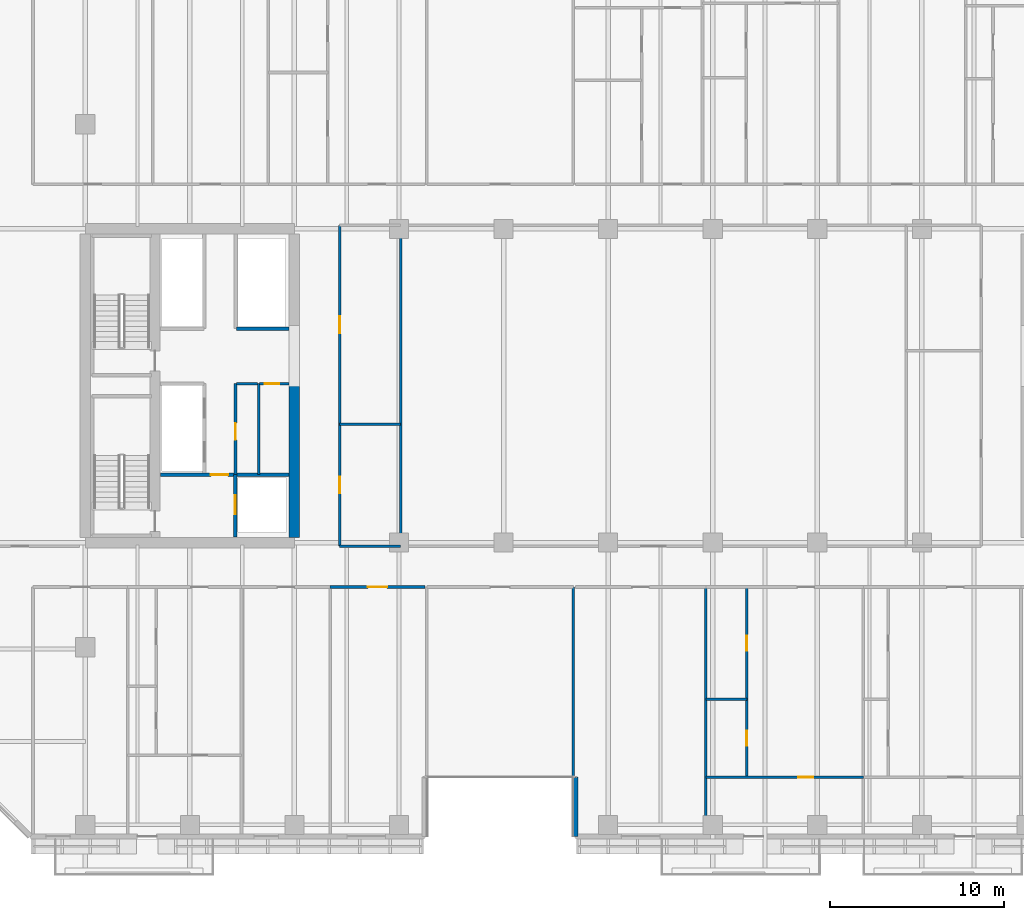
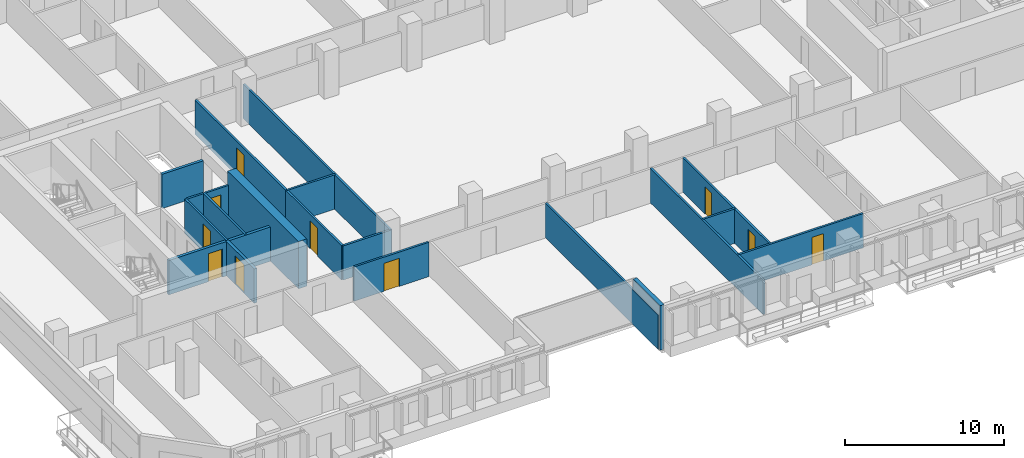
# One storey, part 11 of 26: 20 walls, 10 doors, 10 openings.
"""IFC4 building model written with IfcOpenShell, lengths in metres."""

import ifcopenshell
import ifcopenshell.guid

model = None  # the IFC model being written
_history = None  # IfcOwnerHistory: only IFC2X3 demands one
_inside = {}  # id of a spatial element -> (the spatial element, [elements in it])
_under = {}  # id of a project, library or spatial element -> (it, [spatial elements below it])
_declared = {}  # id of a project -> (the project, [libraries it declares])
_typed = {}  # id of a type object -> (the type object, [elements of that type])
_made_of = {}  # id of a material, layer set ... -> (it, [elements and type objects made of it])


def new_model(schema):
    """Start an empty IFC model of exactly this schema.

    Asked for "IFC4X3", IfcOpenShell would pick the latest addendum, in which some entities
    have other attributes; the version numbers below select the first issue.
    IFC2X3 requires an IfcOwnerHistory on every rooted entity: one is made here for all.
    """
    global model, _history
    if schema == "IFC4X3":
        model = ifcopenshell.file(schema_version=(4, 3, 0, 0))
    else:
        model = ifcopenshell.file(schema=schema)
    _inside.clear()
    _under.clear()
    _declared.clear()
    _typed.clear()
    _made_of.clear()
    _history = None
    if model.schema == "IFC2X3":
        org = make("IfcOrganization", Name="unknown")
        user = make(
            "IfcPersonAndOrganization",
            ThePerson=make("IfcPerson", FamilyName="unknown"),
            TheOrganization=org,
        )
        app = make(
            "IfcApplication",
            ApplicationDeveloper=org,
            Version="unknown",
            ApplicationFullName="unknown",
            ApplicationIdentifier="unknown",
        )
        _history = make(
            "IfcOwnerHistory",
            OwningUser=user,
            OwningApplication=app,
            ChangeAction="ADDED",
            CreationDate=0,
        )
    return model


def make(cls, **values):
    """One entity of the class cls with the attributes given. An attribute that is None is left unset."""
    return model.create_entity(
        cls, **{name: value for name, value in values.items() if value is not None}
    )


def rooted(cls, **values):
    """An entity with a GlobalId (a new one), such as an element, a storey or a relation."""
    return make(cls, GlobalId=ifcopenshell.guid.new(), OwnerHistory=_history, **values)


def si_unit(unit_type, name, prefix=None):
    """IfcSIUnit, for example si_unit("LENGTHUNIT", "METRE", prefix="MILLI")."""
    return make("IfcSIUnit", UnitType=unit_type, Prefix=prefix, Name=name)


def assignment(units):
    """IfcUnitAssignment: the units of a project."""
    return None if units is None else make("IfcUnitAssignment", Units=units)


def point(xyz):
    """IfcCartesianPoint."""
    return None if xyz is None else make("IfcCartesianPoint", Coordinates=xyz)


def direction(xyz):
    """IfcDirection."""
    return None if xyz is None else make("IfcDirection", DirectionRatios=xyz)


def frame(location, z_axis=None, x_axis=None):
    """IfcAxis2Placement3D, a coordinate frame: its origin and axes. An axis left out is left unset."""
    return make(
        "IfcAxis2Placement3D",
        Location=point(location),
        Axis=direction(z_axis),
        RefDirection=direction(x_axis),
    )


def frame_2d(location, x_axis=None):
    """IfcAxis2Placement2D, a coordinate frame in the plane: its origin and x axis."""
    return make(
        "IfcAxis2Placement2D", Location=point(location), RefDirection=direction(x_axis)
    )


def origin():
    """The frame at (0, 0, 0) with its axes left unset."""
    return frame((0.0, 0.0, 0.0))


def place(relative_to, where):
    """IfcLocalPlacement: puts the frame where relative to a parent placement (None: the world)."""
    return make(
        "IfcLocalPlacement", PlacementRelTo=relative_to, RelativePlacement=where
    )


def context(
    kind, dimensions, precision=None, world=None, true_north=None, identifier=None
):
    """IfcGeometricRepresentationContext, for example the 3D "Model" context."""
    return make(
        "IfcGeometricRepresentationContext",
        ContextIdentifier=identifier,
        ContextType=kind,
        CoordinateSpaceDimension=dimensions,
        Precision=precision,
        WorldCoordinateSystem=world,
        TrueNorth=true_north,
    )


def subcontext(parent, identifier, kind, view, scale=None):
    """IfcGeometricRepresentationSubContext, for example "Body" below "Model"."""
    return make(
        "IfcGeometricRepresentationSubContext",
        ContextIdentifier=identifier,
        ContextType=kind,
        ParentContext=parent,
        TargetScale=scale,
        TargetView=view,
    )


def project(units=None, contexts=None):
    """IfcProject with its units and contexts."""
    return rooted(
        "IfcProject",
        Name="project",
        RepresentationContexts=contexts,
        UnitsInContext=assignment(units),
    )


def spatial(cls, under=None, at=None, **own):
    """A site, building, storey or space (cls), placed at a placement, below another one or the project."""
    s = rooted(cls, ObjectPlacement=at, **own)
    if under is not None:
        _under.setdefault(under.id(), (under, []))[1].append(s)
    return s


def profile(cls, at=None, kind="AREA", **sizes):
    """A parametric profile (cls). Its sizes go by their IFC names, for example OverallWidth=200.0."""
    return make(cls, ProfileType=kind, Position=at, **sizes)


def rectangle(**sizes):
    """IfcRectangleProfileDef."""
    return profile("IfcRectangleProfileDef", **sizes)


def extrude(swept, where, along, depth):
    """IfcExtrudedAreaSolid: the profile swept, set in the frame where, extruded along a direction by depth."""
    return make(
        "IfcExtrudedAreaSolid",
        SweptArea=swept,
        Position=where,
        ExtrudedDirection=direction(along),
        Depth=depth,
    )


def shape(context_of_items, identifier, shape_type, items):
    """IfcShapeRepresentation: the items that make up one representation, for example the "Body"."""
    return make(
        "IfcShapeRepresentation",
        ContextOfItems=context_of_items,
        RepresentationIdentifier=identifier,
        RepresentationType=shape_type,
        Items=items,
    )


def material(Name=None, Category=None):
    """IfcMaterial."""
    return make("IfcMaterial", Name=Name, Category=Category)


def layer(
    of_material, thickness, ventilated=None, Name=None, Category=None, Priority=None
):
    """IfcMaterialLayer: one layer of a wall or slab, of a material (None: an air gap)."""
    return make(
        "IfcMaterialLayer",
        Material=of_material,
        LayerThickness=thickness,
        IsVentilated=ventilated,
        Name=Name,
        Category=Category,
        Priority=Priority,
    )


def layer_set(layers, Name=None):
    """IfcMaterialLayerSet."""
    return make("IfcMaterialLayerSet", MaterialLayers=layers, LayerSetName=Name)


def made_of(thing, what):
    """Note that an element or type object is made of a material, layer set ...; save() writes the relation."""
    if what is not None:
        _made_of.setdefault(what.id(), (what, []))[1].append(thing)
    return thing


def type_object(cls, material=None, **own):
    """A type object (cls), such as IfcWallType, which elements share."""
    return made_of(rooted(cls, **own), material)


def element(
    cls,
    number,
    at=None,
    inside=None,
    cuts=None,
    type_object=None,
    material=None,
    context=None,
    identifier="Body",
    shape_type=None,
    held_by="IfcProductDefinitionShape",
    body=None,
    shapes=None,
    **own,
):
    """One element of the class cls, such as IfcWall. Its Tag is "e" and its number.

    at: its placement. inside: the storey or other place that contains it. cuts: it is an
    opening in that element (IfcRelVoidsElement). A single representation is given by context,
    identifier, shape_type and body (its items); several are given by shapes. held_by: the class
    of the entity that holds the representations. save() writes the other relations.
    """
    e = rooted(cls, Tag="e%d" % number, ObjectPlacement=at, **own)
    if body is not None:
        shapes = [shape(context, identifier, shape_type, body)]
    if shapes is not None:
        e.Representation = make(held_by, Representations=shapes)
    if inside is not None:
        _inside.setdefault(inside.id(), (inside, []))[1].append(e)
    if cuts is not None:
        rooted(
            "IfcRelVoidsElement", RelatingBuildingElement=cuts, RelatedOpeningElement=e
        )
    if type_object is not None:
        _typed.setdefault(type_object.id(), (type_object, []))[1].append(e)
    return made_of(e, material)


def fill(opening, filler):
    """IfcRelFillsElement: the door or window that sits in an opening."""
    return rooted(
        "IfcRelFillsElement",
        RelatingOpeningElement=opening,
        RelatedBuildingElement=filler,
    )


def aggregate(whole, parts):
    """IfcRelAggregates: a whole, such as a stair, and the parts it consists of."""
    return rooted("IfcRelAggregates", RelatingObject=whole, RelatedObjects=parts)


def save(model, path):
    """Write the relations noted so far, then the file.

    IfcRelAggregates (storeys below a building ...), IfcRelContainedInSpatialStructure (elements
    in a storey), IfcRelDefinesByType, IfcRelAssociatesMaterial and IfcRelDeclares: one each for
    every whole, place, type object, material and project.
    """
    for whole, parts in _under.values():
        aggregate(whole, parts)
    for where, things in _inside.values():
        rooted(
            "IfcRelContainedInSpatialStructure",
            RelatedElements=things,
            RelatingStructure=where,
        )
    for kind, things in _typed.values():
        rooted("IfcRelDefinesByType", RelatedObjects=things, RelatingType=kind)
    for what, things in _made_of.values():
        rooted("IfcRelAssociatesMaterial", RelatedObjects=things, RelatingMaterial=what)
    for by, libraries in _declared.values():
        rooted("IfcRelDeclares", RelatingContext=by, RelatedDefinitions=libraries)
    model.write(path)


model = new_model("IFC4")

# Units and contexts
model_context = context("Model", 3, precision=1e-05, world=origin(), true_north=direction((0.0, 1.0)))
body_context = subcontext(model_context, "Body", "Model", "MODEL_VIEW")
ifc_project = project(units=[si_unit("LENGTHUNIT", "METRE"), si_unit("AREAUNIT", "SQUARE_METRE"), si_unit("VOLUMEUNIT", "CUBIC_METRE"), si_unit("PLANEANGLEUNIT", "RADIAN"), si_unit("MASSUNIT", "GRAM", prefix="KILO")], contexts=[model_context])

# Site, building, storey
site_placement = place(None, origin())
site = spatial("IfcSite", under=ifc_project, at=site_placement, CompositionType="ELEMENT")
building_placement = place(site_placement, origin())
building = spatial("IfcBuilding", under=site, at=building_placement, Name="Tanjung Sevakor Pilgrim Tower", CompositionType="ELEMENT")
storey_placement = place(building_placement, frame((0.0, 0.0, 66.0)))
storey = spatial("IfcBuildingStorey", under=building, at=storey_placement, Name="L18", CompositionType="ELEMENT", Elevation=66.0)

# Walls
ifc_material_1 = material(Name="Concrete C60/75", Category="concrete")
ifc_layer_1 = layer(ifc_material_1, 0.60009765625)
ifc_layer_set_1 = layer_set([ifc_layer_1], Name="WALL-CW-600")
wall_type_1 = type_object("IfcWallType", Name="WALL-CW-600", PredefinedType="SHEAR", material=ifc_layer_set_1)
wall_1_placement = place(storey_placement, frame((36.0, 24.89990234375, 0.0), z_axis=(0.0, 0.0, 1.0), x_axis=(0.0, 1.0, 0.0)))
element("IfcWall", 1, at=wall_1_placement, inside=storey, type_object=wall_type_1, Name="L18 W Core Inner Shear Wall South", PredefinedType="SHEAR", context=body_context, shape_type="SweptSolid", body=[
    extrude(rectangle(XDim=8.900146484375, YDim=0.60009765625, at=frame_2d((4.4501953125, 0.0))), origin(), (0.0, 0.0, 1.0), 3.6298828125),
])
ifc_material_2 = material(Name="Concrete C40/50", Category="concrete")
ifc_layer_2 = layer(ifc_material_2, 0.14990234375)
ifc_layer_set_2 = layer_set([ifc_layer_2], Name="WT-COMP-150")
wall_type_2 = type_object("IfcWallType", Name="WT-COMP-150", PredefinedType="SOLIDWALL", material=ifc_layer_set_2)
wall_2_placement = place(storey_placement, frame((33.949951171875, 28.5, 0.0), z_axis=(0.0, 0.0, 1.0), x_axis=(0.0, 1.0, 0.0)))
element("IfcWall", 2, at=wall_2_placement, inside=storey, type_object=wall_type_2, Name="L18 Partition IW-L18-005", PredefinedType="SOLIDWALL", context=body_context, shape_type="SweptSolid", body=[
    extrude(rectangle(XDim=5.219970703125, YDim=0.14990234375, at=frame_2d((2.60986328125, 0.0))), origin(), (0.0, 0.0, 1.0), 2.6298828125),
])
wall_3_placement = place(storey_placement, frame((32.679931640625, 33.719970703125, 0.0), z_axis=(0.0, 0.0, 1.0), x_axis=(1.0, 0.0, 0.0)))
element("IfcWall", 3, at=wall_3_placement, inside=storey, type_object=wall_type_2, Name="L18 Partition IW-L18-006", PredefinedType="SOLIDWALL", context=body_context, shape_type="SweptSolid", body=[
    extrude(rectangle(XDim=1.2099609375, YDim=0.14990234375, at=frame_2d((0.60498046875, 0.0))), origin(), (0.0, 0.0, 1.0), 2.6298828125),
])

# Wall, opening, door
wall_4_placement = place(storey_placement, frame((34.010009765625, 33.719970703125, 0.0), z_axis=(0.0, 0.0, 1.0), x_axis=(1.0, 0.0, 0.0)))
wall_4 = element("IfcWall", 4, at=wall_4_placement, inside=storey, type_object=wall_type_2, Name="L18 Partition IW-L18-007", PredefinedType="SOLIDWALL", context=body_context, shape_type="SweptSolid", body=[
    extrude(rectangle(XDim=1.669921875, YDim=0.14990234375, at=frame_2d((0.8349609375, 0.0))), origin(), (0.0, 0.0, 1.0), 2.6298828125),
])
opening_1_placement = place(wall_4_placement, frame((0.280029296875, 0.0, 0.0)))
opening_1 = element("IfcOpeningElement", 5, at=opening_1_placement, cuts=wall_4, Name="Opening ID-FD3", PredefinedType="OPENING", context=body_context, shape_type="SweptSolid", body=[
    extrude(rectangle(XDim=0.85009765625, YDim=2.10009765625, at=frame_2d((0.425048828125, 1.050048828125))), frame((0.0, 0.0849609375, 0.0), z_axis=(0.0, -1.0, 0.0), x_axis=(1.0, 0.0, 0.0)), (0.0, 0.0, 1.0), 0.169921875),
])
ifc_material_3 = material(Name="Fire-Rated Timber", Category="wood")
door_type_1 = type_object("IfcDoorType", Name="DT-FIRE-850", OperationType="NOTDEFINED", PredefinedType="DOOR", material=ifc_material_3)
door_1_placement = place(opening_1_placement, origin())
door_1 = element("IfcDoor", 6, at=door_1_placement, inside=storey, type_object=door_type_1, Name="L18 Service Store Door", OperationType="SINGLE_SWING_RIGHT", OverallHeight=2.10009765625, OverallWidth=0.85009765625, PredefinedType="DOOR", context=body_context, shape_type="SweptSolid", body=[
    extrude(rectangle(XDim=0.85009765625, YDim=2.10009765625, at=frame_2d((0.425048828125, 1.050048828125))), frame((0.0, 0.02490234375, 0.0), z_axis=(0.0, -1.0, 0.0), x_axis=(1.0, 0.0, 0.0)), (0.0, 0.0, 1.0), 0.050048828125),
])
fill(opening_1, door_1)

wall_5_placement = place(storey_placement, frame((32.6201171875, 28.5, 0.0), z_axis=(0.0, 0.0, 1.0), x_axis=(0.0, 1.0, 0.0)))
wall_5 = element("IfcWall", 7, at=wall_5_placement, inside=storey, type_object=wall_type_2, Name="L18 Partition IW-L18-008", PredefinedType="SOLIDWALL", context=body_context, shape_type="SweptSolid", body=[
    extrude(rectangle(XDim=5.219970703125, YDim=0.14990234375, at=frame_2d((2.60986328125, 0.0))), origin(), (0.0, 0.0, 1.0), 2.6298828125),
])
opening_2_placement = place(wall_5_placement, frame((2.0, 0.0, 0.0)))
opening_2 = element("IfcOpeningElement", 8, at=opening_2_placement, cuts=wall_5, Name="Opening ID-FD2", PredefinedType="OPENING", context=body_context, shape_type="SweptSolid", body=[
    extrude(rectangle(XDim=0.949951171875, YDim=2.14990234375, at=frame_2d((0.47509765625, 1.074951171875))), frame((0.0, 0.0849609375, 0.0), z_axis=(0.0, -1.0, 0.0), x_axis=(1.0, 0.0, 0.0)), (0.0, 0.0, 1.0), 0.169921875),
])
ifc_material_4 = material(Name="Fire-Rated Timber", Category="wood")
door_type_2 = type_object("IfcDoorType", Name="DT-FIRE-950", OperationType="NOTDEFINED", PredefinedType="DOOR", material=ifc_material_4)
door_2_placement = place(opening_2_placement, origin())
door_2 = element("IfcDoor", 9, at=door_2_placement, inside=storey, type_object=door_type_2, Name="L18 Accessible WC Door", OperationType="SINGLE_SWING_LEFT", OverallHeight=2.14990234375, OverallWidth=0.949951171875, PredefinedType="DOOR", context=body_context, shape_type="SweptSolid", body=[
    extrude(rectangle(XDim=0.949951171875, YDim=2.14990234375, at=frame_2d((0.47509765625, 1.074951171875))), frame((0.0, 0.02490234375, 0.0), z_axis=(0.0, -1.0, 0.0), x_axis=(1.0, 0.0, 0.0)), (0.0, 0.0, 1.0), 0.050048828125),
])
fill(opening_2, door_2)

# Walls
wall_6_placement = place(storey_placement, frame((38.60009765625, 24.39990234375, 0.0), z_axis=(0.0, 0.0, 1.0), x_axis=(1.0, 0.0, 0.0)))
element("IfcWall", 10, at=wall_6_placement, inside=storey, type_object=wall_type_2, Name="L18 Partition IW-L18-025", PredefinedType="SOLIDWALL", context=body_context, shape_type="SweptSolid", body=[
    extrude(rectangle(XDim=3.5, YDim=0.14990234375, at=frame_2d((1.75, 0.0))), origin(), (0.0, 0.0, 1.0), 2.625244140625),
])
wall_7_placement = place(storey_placement, frame((38.60009765625, 31.39990234375, 0.0), z_axis=(0.0, 0.0, 1.0), x_axis=(1.0, 0.0, 0.0)))
element("IfcWall", 11, at=wall_7_placement, inside=storey, type_object=wall_type_2, Name="L18 Partition IW-L18-026", PredefinedType="SOLIDWALL", context=body_context, shape_type="SweptSolid", body=[
    extrude(rectangle(XDim=3.5, YDim=0.14990234375, at=frame_2d((1.75, 0.0))), origin(), (0.0, 0.0, 1.0), 2.6298828125),
])

# Wall, opening, door
wall_8_placement = place(storey_placement, frame((38.60009765625, 24.39990234375, 0.0), z_axis=(0.0, 0.0, 1.0), x_axis=(0.0, 1.0, 0.0)))
wall_8 = element("IfcWall", 12, at=wall_8_placement, inside=storey, type_object=wall_type_2, Name="L18 Partition IW-L18-027", PredefinedType="SOLIDWALL", context=body_context, shape_type="SweptSolid", body=[
    extrude(rectangle(XDim=7.0, YDim=0.14990234375, at=frame_2d((3.5, 0.0))), origin(), (0.0, 0.0, 1.0), 2.6298828125),
])
opening_3_placement = place(wall_8_placement, frame((3.02490234375, 0.0, 0.0)))
opening_3 = element("IfcOpeningElement", 13, at=opening_3_placement, cuts=wall_8, Name="Opening ID-RM1", PredefinedType="OPENING", context=body_context, shape_type="SweptSolid", body=[
    extrude(rectangle(XDim=0.949951171875, YDim=2.14990234375, at=frame_2d((0.47509765625, 1.074951171875))), frame((0.0, 0.0849609375, 0.0), z_axis=(0.0, -1.0, 0.0), x_axis=(1.0, 0.0, 0.0)), (0.0, 0.0, 1.0), 0.169921875),
])
ifc_material_5 = material(Name="Hardwood Timber", Category="wood")
door_type_3 = type_object("IfcDoorType", Name="DT-INT-950", OperationType="NOTDEFINED", PredefinedType="DOOR", material=ifc_material_5)
door_3_placement = place(opening_3_placement, origin())
door_3 = element("IfcDoor", 14, at=door_3_placement, inside=storey, type_object=door_type_3, Name="L18 Male Ablution Door", OperationType="SINGLE_SWING_RIGHT", OverallHeight=2.14990234375, OverallWidth=0.949951171875, PredefinedType="DOOR", context=body_context, shape_type="SweptSolid", body=[
    extrude(rectangle(XDim=0.949951171875, YDim=2.14990234375, at=frame_2d((0.47509765625, 1.074951171875))), frame((0.0, 0.02490234375, 0.0), z_axis=(0.0, -1.0, 0.0), x_axis=(1.0, 0.0, 0.0)), (0.0, 0.0, 1.0), 0.050048828125),
])
fill(opening_3, door_3)

wall_9_placement = place(storey_placement, frame((38.60009765625, 31.39990234375, 0.0), z_axis=(0.0, 0.0, 1.0), x_axis=(0.0, 1.0, 0.0)))
wall_9 = element("IfcWall", 15, at=wall_9_placement, inside=storey, type_object=wall_type_2, Name="L18 Partition IW-L18-029", PredefinedType="SOLIDWALL", context=body_context, shape_type="SweptSolid", body=[
    extrude(rectangle(XDim=11.400146484375, YDim=0.14990234375, at=frame_2d((5.7001953125, 0.0))), origin(), (0.0, 0.0, 1.0), 2.6298828125),
])
opening_4_placement = place(wall_9_placement, frame((5.22509765625, 0.0, 0.0)))
opening_4 = element("IfcOpeningElement", 16, at=opening_4_placement, cuts=wall_9, Name="Opening ID-RM1", PredefinedType="OPENING", context=body_context, shape_type="SweptSolid", body=[
    extrude(rectangle(XDim=0.949951171875, YDim=2.14990234375, at=frame_2d((0.47509765625, 1.074951171875))), frame((0.0, 0.0849609375, 0.0), z_axis=(0.0, -1.0, 0.0), x_axis=(1.0, 0.0, 0.0)), (0.0, 0.0, 1.0), 0.169921875),
])
door_4_placement = place(opening_4_placement, origin())
door_4 = element("IfcDoor", 17, at=door_4_placement, inside=storey, type_object=door_type_3, Name="L18 Male Washroom Door", OperationType="SINGLE_SWING_LEFT", OverallHeight=2.14990234375, OverallWidth=0.949951171875, PredefinedType="DOOR", context=body_context, shape_type="SweptSolid", body=[
    extrude(rectangle(XDim=0.949951171875, YDim=2.14990234375, at=frame_2d((0.47509765625, 1.074951171875))), frame((0.0, 0.02490234375, 0.0), z_axis=(0.0, -1.0, 0.0), x_axis=(1.0, 0.0, 0.0)), (0.0, 0.0, 1.0), 0.050048828125),
])
fill(opening_4, door_4)

# Walls
wall_10_placement = place(storey_placement, frame((42.10009765625, 24.39990234375, 0.0), z_axis=(0.0, 0.0, 1.0), x_axis=(0.0, 1.0, 0.0)))
element("IfcWall", 18, at=wall_10_placement, inside=storey, type_object=wall_type_2, Name="L18 Partition IW-L18-032", PredefinedType="SOLIDWALL", context=body_context, shape_type="SweptSolid", body=[
    extrude(rectangle(XDim=18.400146484375, YDim=0.14990234375, at=frame_2d((9.2001953125, 0.0))), origin(), (0.0, 0.0, 1.0), 2.6298828125),
])
wall_11_placement = place(storey_placement, frame((52.0, 7.8798828125, 0.0), z_axis=(0.0, 0.0, 1.0), x_axis=(0.0, 1.0, 0.0)))
element("IfcWall", 19, at=wall_11_placement, inside=storey, type_object=wall_type_2, Name="L18 Partition IW-L18-048", PredefinedType="SOLIDWALL", context=body_context, shape_type="SweptSolid", body=[
    extrude(rectangle(XDim=14.170166015625, YDim=0.14990234375, at=frame_2d((7.0849609375, 0.0))), origin(), (0.0, 0.0, 1.0), 2.6298828125),
])

# Wall, opening, door
wall_12_placement = place(storey_placement, frame((38.04638671875, 22.050048828125, 0.0), z_axis=(0.0, 0.0, 1.0), x_axis=(1.0, 0.0, 0.0)))
wall_12 = element("IfcWall", 20, at=wall_12_placement, inside=storey, type_object=wall_type_2, Name="L18 Partition IW-L18-062", PredefinedType="SOLIDWALL", context=body_context, shape_type="SweptSolid", body=[
    extrude(rectangle(XDim=5.43359375, YDim=0.14990234375, at=frame_2d((2.716796875, 0.0))), origin(), (0.0, 0.0, 1.0), 2.6298828125),
])
opening_5_placement = place(wall_12_placement, frame((2.166748046875, 0.0, 0.0)))
opening_5 = element("IfcOpeningElement", 21, at=opening_5_placement, cuts=wall_12, Name="Opening ID-FD0", PredefinedType="OPENING", context=body_context, shape_type="SweptSolid", body=[
    extrude(rectangle(XDim=1.10009765625, YDim=2.14990234375, at=frame_2d((0.550048828125, 1.074951171875))), frame((0.0, 0.0849609375, 0.0), z_axis=(0.0, -1.0, 0.0), x_axis=(1.0, 0.0, 0.0)), (0.0, 0.0, 1.0), 0.169921875),
])
ifc_material_6 = material(Name="Fire-Rated Steel S355J2", Category="steel")
door_type_4 = type_object("IfcDoorType", Name="DT-FIRE-1100", OperationType="NOTDEFINED", PredefinedType="DOOR", material=ifc_material_6)
door_5_placement = place(opening_5_placement, origin())
door_5 = element("IfcDoor", 22, at=door_5_placement, inside=storey, type_object=door_type_4, Name="Communal Lounge Door", OperationType="SINGLE_SWING_RIGHT", OverallHeight=2.14990234375, OverallWidth=1.10009765625, PredefinedType="DOOR", context=body_context, shape_type="SweptSolid", body=[
    extrude(rectangle(XDim=1.10009765625, YDim=2.14990234375, at=frame_2d((0.550048828125, 1.074951171875))), frame((0.0, 0.02490234375, 0.0), z_axis=(0.0, -1.0, 0.0), x_axis=(1.0, 0.0, 0.0)), (0.0, 0.0, 1.0), 0.050048828125),
])
fill(opening_5, door_5)

# Walls
wall_13_placement = place(storey_placement, frame((59.60400390625, 7.8798828125, 0.0), z_axis=(0.0, 0.0, 1.0), x_axis=(0.0, 1.0, 0.0)))
element("IfcWall", 23, at=wall_13_placement, inside=storey, type_object=wall_type_2, Name="L18 Partition IW-L18-064", PredefinedType="SOLIDWALL", context=body_context, shape_type="SweptSolid", body=[
    extrude(rectangle(XDim=14.170166015625, YDim=0.14990234375, at=frame_2d((7.0849609375, 0.0))), origin(), (0.0, 0.0, 1.0), 2.6298828125),
])
ifc_material_7 = material(Name="Precast concrete C45/55", Category="concrete")
ifc_layer_3 = layer(ifc_material_7, 0.280029296875)
ifc_layer_set_3 = layer_set([ifc_layer_3], Name="WT-EW-STN2")
wall_type_3 = type_object("IfcWallType", Name="WT-EW-STN2", PredefinedType="SOLIDWALL", material=ifc_layer_set_3)
wall_14_placement = place(storey_placement, frame((52.139892578125, 11.139892578125, 0.0), z_axis=(0.0, 0.0, 1.0), x_axis=(0.0, -1.0, 0.0)))
element("IfcWall", 24, at=wall_14_placement, inside=storey, type_object=wall_type_3, Name="L18 MAIN Exterior Wall 4", PredefinedType="SOLIDWALL", context=body_context, shape_type="SweptSolid", body=[
    extrude(rectangle(XDim=3.39990234375, YDim=0.280029296875, at=frame_2d((1.699951171875, 0.0))), origin(), (0.0, 0.0, 1.0), 3.409912109375),
])

# Wall, opening, door
ifc_material_8 = material(Name="Concrete C40/50", Category="concrete")
ifc_layer_4 = layer(ifc_material_8, 0.199951171875)
ifc_layer_set_4 = layer_set([ifc_layer_4], Name="WT-FPRT-200")
wall_type_4 = type_object("IfcWallType", Name="WT-FPRT-200", PredefinedType="SOLIDWALL", material=ifc_layer_set_4)
wall_15_placement = place(storey_placement, frame((32.60009765625, 24.919921875, 0.0), z_axis=(0.0, 0.0, 1.0), x_axis=(0.0, 1.0, 0.0)))
wall_15 = element("IfcWall", 25, at=wall_15_placement, inside=storey, type_object=wall_type_4, Name="L18 Partition IW-L18-001", PredefinedType="SOLIDWALL", context=body_context, shape_type="SweptSolid", body=[
    extrude(rectangle(XDim=3.580078125, YDim=0.199951171875, at=frame_2d((1.7900390625, 0.0))), origin(), (0.0, 0.0, 1.0), 2.6298828125),
])
opening_6_placement = place(wall_15_placement, frame((1.300048828125, 0.0, 0.0)))
opening_6 = element("IfcOpeningElement", 26, at=opening_6_placement, cuts=wall_15, Name="Opening LD-1100", PredefinedType="OPENING", context=body_context, shape_type="SweptSolid", body=[
    extrude(rectangle(XDim=1.10009765625, YDim=2.199951171875, at=frame_2d((0.550048828125, 1.10009765625))), frame((0.0, 0.10986328125, 0.0), z_axis=(0.0, -1.0, 0.0), x_axis=(1.0, 0.0, 0.0)), (0.0, 0.0, 1.0), 0.219970703125),
])
ifc_material_9 = material(Name="Brushed Stainless Steel S355J2", Category="steel")
door_type_5 = type_object("IfcDoorType", Name="DT-LIFT-1100", OperationType="SLIDING_TO_LEFT", PredefinedType="DOOR", material=ifc_material_9)
door_6_placement = place(opening_6_placement, origin())
door_6 = element("IfcDoor", 27, at=door_6_placement, inside=storey, type_object=door_type_5, Name="LD-FL-W", OperationType="SLIDING_TO_LEFT", OverallHeight=2.199951171875, OverallWidth=1.10009765625, PredefinedType="DOOR", context=body_context, shape_type="SweptSolid", body=[
    extrude(rectangle(XDim=1.10009765625, YDim=2.199951171875, at=frame_2d((0.550048828125, 1.10009765625))), frame((0.0, 0.02490234375, 0.0), z_axis=(0.0, -1.0, 0.0), x_axis=(1.0, 0.0, 0.0)), (0.0, 0.0, 1.0), 0.050048828125),
])
fill(opening_6, door_6)

wall_16_placement = place(storey_placement, frame((28.320068359375, 28.5, 0.0), z_axis=(0.0, 0.0, 1.0), x_axis=(1.0, 0.0, 0.0)))
wall_16 = element("IfcWall", 28, at=wall_16_placement, inside=storey, type_object=wall_type_4, Name="L18 Partition IW-L18-002", PredefinedType="SOLIDWALL", context=body_context, shape_type="SweptSolid", body=[
    extrude(rectangle(XDim=7.35986328125, YDim=0.199951171875, at=frame_2d((3.679931640625, 0.0))), origin(), (0.0, 0.0, 1.0), 2.6298828125),
])
opening_7_placement = place(wall_16_placement, frame((2.8798828125, 0.0, 0.0)))
opening_7 = element("IfcOpeningElement", 29, at=opening_7_placement, cuts=wall_16, Name="Opening ID-FD1", PredefinedType="OPENING", context=body_context, shape_type="SweptSolid", body=[
    extrude(rectangle(XDim=1.0, YDim=2.14990234375, at=frame_2d((0.5, 1.074951171875))), frame((0.0, 0.10986328125, 0.0), z_axis=(0.0, -1.0, 0.0), x_axis=(1.0, 0.0, 0.0)), (0.0, 0.0, 1.0), 0.219970703125),
])
ifc_material_10 = material(Name="Fire-Rated Steel S355J2", Category="steel")
door_type_6 = type_object("IfcDoorType", Name="DT-FIRE-1000", OperationType="NOTDEFINED", PredefinedType="DOOR", material=ifc_material_10)
door_7_placement = place(opening_7_placement, origin())
door_7 = element("IfcDoor", 30, at=door_7_placement, inside=storey, type_object=door_type_6, Name="Fire Lobby Door W", OperationType="SINGLE_SWING_LEFT", OverallHeight=2.14990234375, OverallWidth=1.0, PredefinedType="DOOR", context=body_context, shape_type="SweptSolid", body=[
    extrude(rectangle(XDim=1.0, YDim=2.14990234375, at=frame_2d((0.5, 1.074951171875))), frame((0.0, 0.02490234375, 0.0), z_axis=(0.0, -1.0, 0.0), x_axis=(1.0, 0.0, 0.0)), (0.0, 0.0, 1.0), 0.050048828125),
])
fill(opening_7, door_7)

# Walls
wall_17_placement = place(storey_placement, frame((32.679931640625, 36.8798828125, 0.0), z_axis=(0.0, 0.0, 1.0), x_axis=(1.0, 0.0, 0.0)))
element("IfcWall", 31, at=wall_17_placement, inside=storey, type_object=wall_type_4, Name="L18 Partition IW-L18-011", PredefinedType="SOLIDWALL", context=body_context, shape_type="SweptSolid", body=[
    extrude(rectangle(XDim=3.0, YDim=0.199951171875, at=frame_2d((1.5, 0.0))), origin(), (0.0, 0.0, 1.0), 2.6298828125),
])
ifc_material_11 = material(Name="Gypsum Board Partition", Category="gypsum board")
ifc_layer_5 = layer(ifc_material_11, 0.14990234375)
ifc_layer_set_5 = layer_set([ifc_layer_5], Name="WT-PART-150")
wall_type_5 = type_object("IfcWallType", Name="WT-PART-150", PredefinedType="PARTITIONING", material=ifc_layer_set_5)
wall_18_placement = place(storey_placement, frame((59.60400390625, 15.614501953125, 0.0), z_axis=(0.0, 0.0, 1.0), x_axis=(1.0, 0.0, 0.0)))
element("IfcWall", 32, at=wall_18_placement, inside=storey, type_object=wall_type_5, Name="L18 Partition IW-L18-067", PredefinedType="PARTITIONING", context=body_context, shape_type="SweptSolid", body=[
    extrude(rectangle(XDim=2.349853515625, YDim=0.14990234375, at=frame_2d((1.1748046875, 0.0))), origin(), (0.0, 0.0, 1.0), 2.6298828125),
])

# Wall, openings, doors
wall_19_placement = place(storey_placement, frame((61.953857421875, 11.14208984375, 0.0), z_axis=(0.0, 0.0, 1.0), x_axis=(0.0, 1.0, 0.0)))
wall_19 = element("IfcWall", 33, at=wall_19_placement, inside=storey, type_object=wall_type_5, Name="L18 Partition IW-L18-068", PredefinedType="PARTITIONING", context=body_context, shape_type="SweptSolid", body=[
    extrude(rectangle(XDim=10.907958984375, YDim=0.14990234375, at=frame_2d((5.4541015625, 0.0))), origin(), (0.0, 0.0, 1.0), 2.6298828125),
])
opening_8_placement = place(wall_19_placement, frame((1.81103515625, 0.0, 0.0)))
opening_8 = element("IfcOpeningElement", 34, at=opening_8_placement, cuts=wall_19, Name="Opening ID-WC1", PredefinedType="OPENING", context=body_context, shape_type="SweptSolid", body=[
    extrude(rectangle(XDim=0.85009765625, YDim=2.10009765625, at=frame_2d((0.425048828125, 1.050048828125))), frame((0.0, 0.0849609375, 0.0), z_axis=(0.0, -1.0, 0.0), x_axis=(1.0, 0.0, 0.0)), (0.0, 0.0, 1.0), 0.169921875),
])
opening_9_placement = place(wall_19_placement, frame((7.264892578125, 0.0, 0.0)))
opening_9 = element("IfcOpeningElement", 35, at=opening_9_placement, cuts=wall_19, Name="Opening ID-WC1", PredefinedType="OPENING", context=body_context, shape_type="SweptSolid", body=[
    extrude(rectangle(XDim=0.85009765625, YDim=2.10009765625, at=frame_2d((0.425048828125, 1.050048828125))), frame((0.0, 0.0849609375, 0.0), z_axis=(0.0, -1.0, 0.0), x_axis=(1.0, 0.0, 0.0)), (0.0, 0.0, 1.0), 0.169921875),
])
ifc_material_12 = material(Name="Moisture-Resistant Timber", Category="wood")
door_type_7 = type_object("IfcDoorType", Name="DT-INT-850", OperationType="NOTDEFINED", PredefinedType="DOOR", material=ifc_material_12)
door_8_placement = place(opening_8_placement, origin())
door_8 = element("IfcDoor", 36, at=door_8_placement, inside=storey, type_object=door_type_7, Name="Residence Bathroom Door", OperationType="SINGLE_SWING_RIGHT", OverallHeight=2.10009765625, OverallWidth=0.85009765625, PredefinedType="DOOR", context=body_context, shape_type="SweptSolid", body=[
    extrude(rectangle(XDim=0.85009765625, YDim=2.10009765625, at=frame_2d((0.425048828125, 1.050048828125))), frame((0.0, 0.02490234375, 0.0), z_axis=(0.0, -1.0, 0.0), x_axis=(1.0, 0.0, 0.0)), (0.0, 0.0, 1.0), 0.050048828125),
])
fill(opening_8, door_8)
door_9_placement = place(opening_9_placement, origin())
door_9 = element("IfcDoor", 37, at=door_9_placement, inside=storey, type_object=door_type_7, Name="Residence Kitchenette Door", OperationType="SINGLE_SWING_LEFT", OverallHeight=2.10009765625, OverallWidth=0.85009765625, PredefinedType="DOOR", context=body_context, shape_type="SweptSolid", body=[
    extrude(rectangle(XDim=0.85009765625, YDim=2.10009765625, at=frame_2d((0.425048828125, 1.050048828125))), frame((0.0, 0.02490234375, 0.0), z_axis=(0.0, -1.0, 0.0), x_axis=(1.0, 0.0, 0.0)), (0.0, 0.0, 1.0), 0.050048828125),
])
fill(opening_9, door_9)

# Wall, opening, door
wall_20_placement = place(storey_placement, frame((59.60400390625, 11.14208984375, 0.0), z_axis=(0.0, 0.0, 1.0), x_axis=(1.0, 0.0, 0.0)))
wall_20 = element("IfcWall", 38, at=wall_20_placement, inside=storey, type_object=wall_type_5, Name="L18 Partition IW-L18-069", PredefinedType="PARTITIONING", context=body_context, shape_type="SweptSolid", body=[
    extrude(rectangle(XDim=9.04296875, YDim=0.14990234375, at=frame_2d((4.521484375, 0.0))), origin(), (0.0, 0.0, 1.0), 2.6298828125),
])
opening_10_placement = place(wall_20_placement, frame((5.3115234375, 0.0, 0.0)))
opening_10 = element("IfcOpeningElement", 39, at=opening_10_placement, cuts=wall_20, Name="Opening ID-WC1", PredefinedType="OPENING", context=body_context, shape_type="SweptSolid", body=[
    extrude(rectangle(XDim=0.85009765625, YDim=2.10009765625, at=frame_2d((0.425048828125, 1.050048828125))), frame((0.0, 0.0849609375, 0.0), z_axis=(0.0, -1.0, 0.0), x_axis=(1.0, 0.0, 0.0)), (0.0, 0.0, 1.0), 0.169921875),
])
door_10_placement = place(opening_10_placement, origin())
door_10 = element("IfcDoor", 40, at=door_10_placement, inside=storey, type_object=door_type_7, Name="Residence Bedroom Door", OperationType="SINGLE_SWING_RIGHT", OverallHeight=2.10009765625, OverallWidth=0.85009765625, PredefinedType="DOOR", context=body_context, shape_type="SweptSolid", body=[
    extrude(rectangle(XDim=0.85009765625, YDim=2.10009765625, at=frame_2d((0.425048828125, 1.050048828125))), frame((0.0, 0.02490234375, 0.0), z_axis=(0.0, -1.0, 0.0), x_axis=(1.0, 0.0, 0.0)), (0.0, 0.0, 1.0), 0.050048828125),
])
fill(opening_10, door_10)

save(model, "model.ifc")
